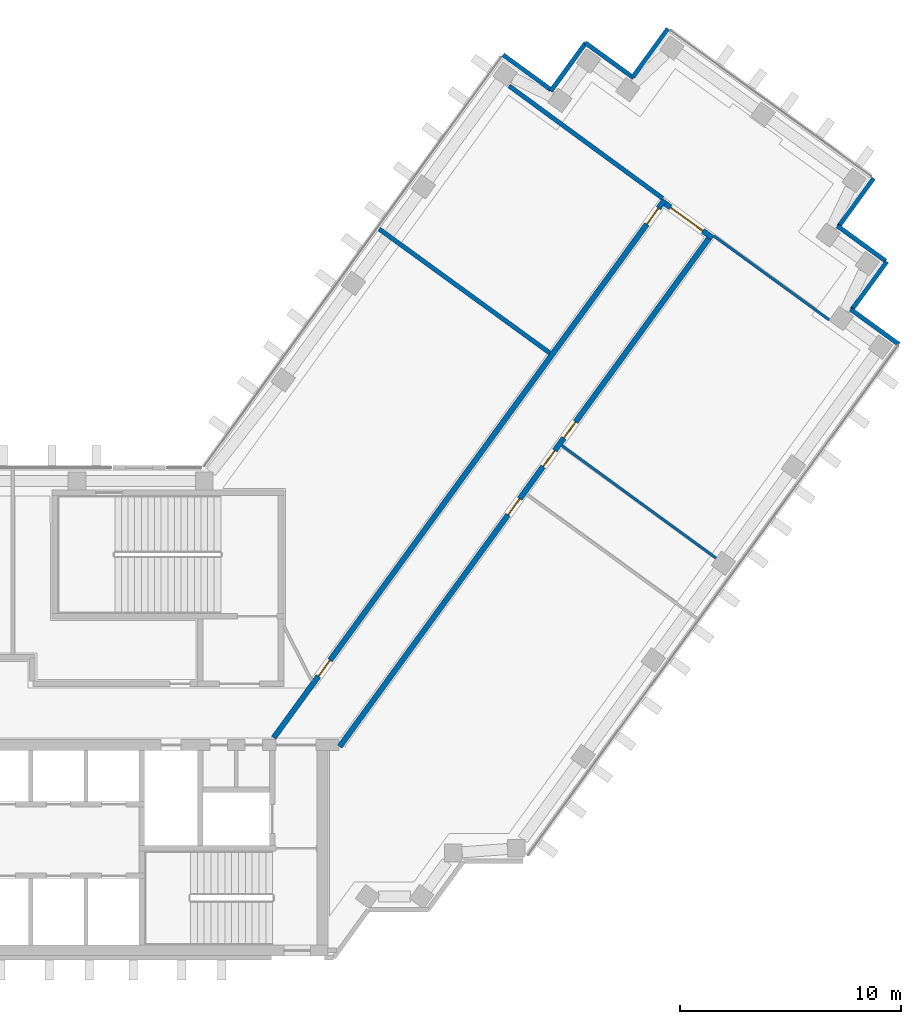
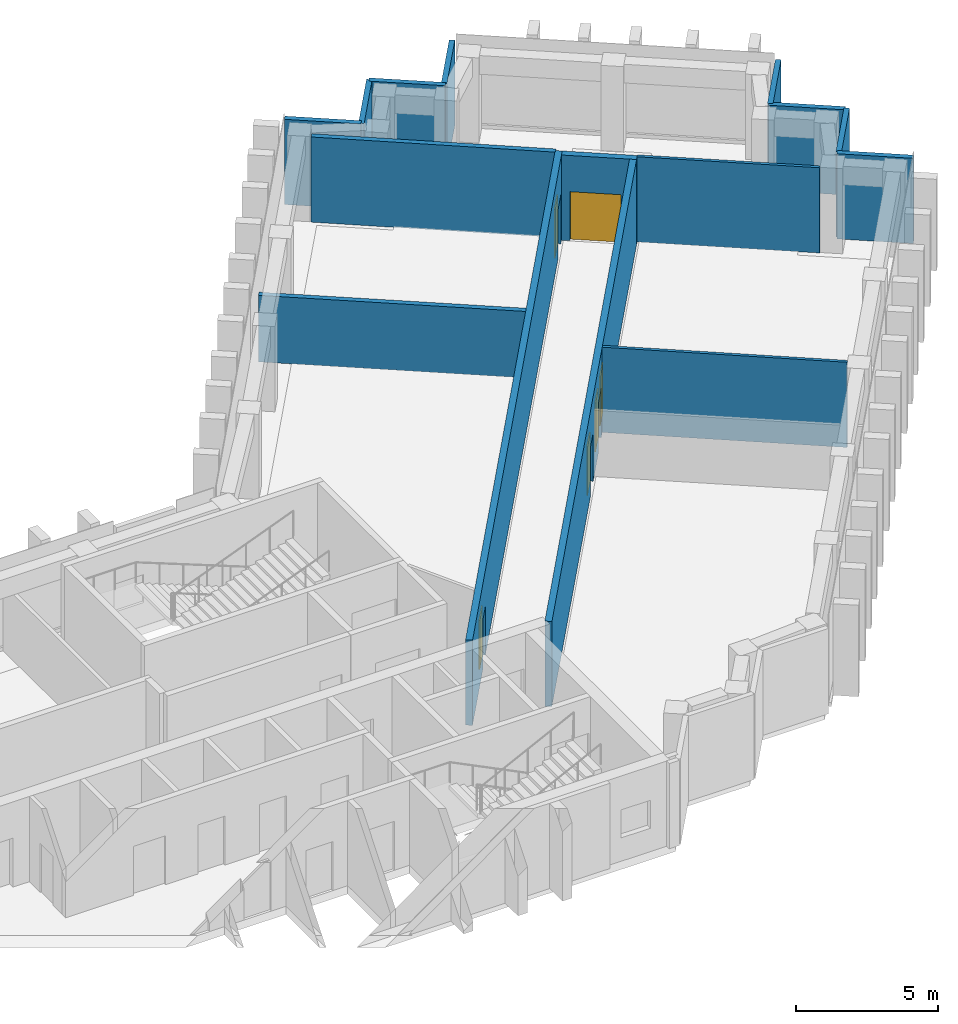
# One storey, part 9 of 12: 15 walls, 6 doors, 6 openings.
"""IFC4 building model written with IfcOpenShell, lengths in metres."""

from ifc_helpers import new_model, si_unit, direction, frame, frame_2d, origin, place, context, subcontext, project, spatial, rectangle, extrude, material, layer, layer_set, type_object, element, fill, save


model = new_model("IFC4")

# Units and contexts
model_context = context("Model", 3, precision=1e-05, world=origin(), true_north=direction((0.0, 1.0)))
body_context = subcontext(model_context, "Body", "Model", "MODEL_VIEW")
ifc_project = project(units=[si_unit("LENGTHUNIT", "METRE"), si_unit("AREAUNIT", "SQUARE_METRE"), si_unit("VOLUMEUNIT", "CUBIC_METRE"), si_unit("PLANEANGLEUNIT", "RADIAN"), si_unit("MASSUNIT", "GRAM", prefix="KILO")], contexts=[model_context])

# Site, building, storey
site_placement = place(None, origin())
site = spatial("IfcSite", under=ifc_project, at=site_placement, CompositionType="ELEMENT")
building_placement = place(site_placement, origin())
building = spatial("IfcBuilding", under=site, at=building_placement, Name="Quipu Civic Tower", CompositionType="ELEMENT")
storey_placement = place(building_placement, frame((0.0, 0.0, 164.0)))
storey = spatial("IfcBuildingStorey", under=building, at=storey_placement, Name="L38", CompositionType="ELEMENT", Elevation=164.0)

# Walls
ifc_material_1 = material(Name="Fired clay blockwork", Category="masonry")
ifc_layer_1 = layer(ifc_material_1, 0.199951171875)
ifc_layer_set_1 = layer_set([ifc_layer_1], Name="Fired clay blockwork")
wall_type_1 = type_object("IfcWallType", Name="Blockwork wall 200", PredefinedType="SOLIDWALL", material=ifc_layer_set_1)
wall_1_placement = place(storey_placement, frame((30.044189453125, 16.291748046875, 0.0), z_axis=(0.0, 0.0, 1.0), x_axis=(-0.80898585166, 0.587828114175, 0.0)))
element("IfcWall", 1, at=wall_1_placement, inside=storey, type_object=wall_type_1, Name="Partition P01", PredefinedType="SOLIDWALL", context=body_context, shape_type="SweptSolid", body=[
    extrude(rectangle(XDim=9.550048828125, YDim=0.199951171875, at=frame_2d((4.77490234375, 0.0))), origin(), (0.0, 0.0, 1.0), 2.85009765625),
])
wall_2_placement = place(storey_placement, frame((28.197998046875, 28.38134765625, 0.0), z_axis=(0.0, 0.0, 1.0), x_axis=(0.806977317905, -0.590582431492, 0.0)))
element("IfcWall", 2, at=wall_2_placement, inside=storey, type_object=wall_type_1, Name="Partition P08", PredefinedType="SOLIDWALL", context=body_context, shape_type="SweptSolid", body=[
    extrude(rectangle(XDim=8.61962890625, YDim=0.199951171875, at=frame_2d((4.309814453125, 0.0))), origin(), (0.0, 0.0, 1.0), 3.64990234375),
])

# Wall, openings, doors
ifc_material_2 = material(Name="Concrete C50/60", Category="concrete")
ifc_layer_2 = layer(ifc_material_2, 0.25)
ifc_layer_set_2 = layer_set([ifc_layer_2], Name="Concrete C50/60")
wall_type_2 = type_object("IfcWallType", Name="Corridor wall 250 concrete", PredefinedType="SOLIDWALL", material=ifc_layer_set_2)
wall_3_placement = place(storey_placement, frame((17.544921875, -1.124755859375, 0.0), z_axis=(0.0, 0.0, 1.0), x_axis=(0.587786330937, 0.809016210693, 0.0)))
wall_3 = element("IfcWall", 3, at=wall_3_placement, inside=storey, type_object=wall_type_2, Name="Corridor wall C02", PredefinedType="SOLIDWALL", context=body_context, shape_type="SweptSolid", body=[
    extrude(rectangle(XDim=30.10302734375, YDim=0.25, at=frame_2d((15.051513671875, 0.0))), origin(), (0.0, 0.0, 1.0), 3.64990234375),
])
opening_1_placement = place(wall_3_placement, frame((3.44140625, 0.0, 0.0)))
opening_1 = element("IfcOpeningElement", 4, at=opening_1_placement, cuts=wall_3, Name="Opening D001", PredefinedType="OPENING", context=body_context, shape_type="SweptSolid", body=[
    extrude(rectangle(XDim=0.89990234375, YDim=2.10009765625, at=frame_2d((0.449951171875, 1.050048828125))), frame((0.0, 0.135009765625, 0.0), z_axis=(0.0, -1.0, 0.0), x_axis=(1.0, 0.0, 0.0)), (0.0, 0.0, 1.0), 0.27001953125),
])
opening_2_placement = place(wall_3_placement, frame((28.72900390625, 0.0, 0.0)))
opening_2 = element("IfcOpeningElement", 5, at=opening_2_placement, cuts=wall_3, Name="Opening D002", PredefinedType="OPENING", context=body_context, shape_type="SweptSolid", body=[
    extrude(rectangle(XDim=0.89990234375, YDim=2.10009765625, at=frame_2d((0.449951171875, 1.050048828125))), frame((0.0, 0.135009765625, 0.0), z_axis=(0.0, -1.0, 0.0), x_axis=(1.0, 0.0, 0.0)), (0.0, 0.0, 1.0), 0.27001953125),
])
ifc_material_3 = material(Name="Fire rated timber door set with metal frame", Category="wood")
door_type_1 = type_object("IfcDoorType", Name="Single door 900 x 2100 FD60", OperationType="NOTDEFINED", PredefinedType="DOOR", material=ifc_material_3)
door_1_placement = place(opening_1_placement, origin())
door_1 = element("IfcDoor", 6, at=door_1_placement, inside=storey, type_object=door_type_1, Name="Door D001", OperationType="SINGLE_SWING_LEFT", OverallHeight=2.10009765625, OverallWidth=0.89990234375, PredefinedType="DOOR", context=body_context, shape_type="SweptSolid", body=[
    extrude(rectangle(XDim=0.89990234375, YDim=2.10009765625, at=frame_2d((0.449951171875, 1.050048828125))), frame((0.0, 0.02490234375, 0.0), z_axis=(0.0, -1.0, 0.0), x_axis=(1.0, 0.0, 0.0)), (0.0, 0.0, 1.0), 0.050048828125),
])
fill(opening_1, door_1)
door_2_placement = place(opening_2_placement, origin())
door_2 = element("IfcDoor", 7, at=door_2_placement, inside=storey, type_object=door_type_1, Name="Door D002", OperationType="SINGLE_SWING_RIGHT", OverallHeight=2.10009765625, OverallWidth=0.89990234375, PredefinedType="DOOR", context=body_context, shape_type="SweptSolid", body=[
    extrude(rectangle(XDim=0.89990234375, YDim=2.10009765625, at=frame_2d((0.449951171875, 1.050048828125))), frame((0.0, 0.02490234375, 0.0), z_axis=(0.0, -1.0, 0.0), x_axis=(1.0, 0.0, 0.0)), (0.0, 0.0, 1.0), 0.050048828125),
])
fill(opening_2, door_2)

# Wall, opening, door
wall_4_placement = place(storey_placement, frame((35.2666015625, 23.054443359375, 0.0), z_axis=(0.0, 0.0, 1.0), x_axis=(0.809038743598, -0.587755315891, 0.0)))
wall_4 = element("IfcWall", 8, at=wall_4_placement, inside=storey, type_object=wall_type_2, Name="Corridor wall C03", PredefinedType="SOLIDWALL", context=body_context, shape_type="SweptSolid", body=[
    extrude(rectangle(XDim=2.650146484375, YDim=0.25, at=frame_2d((1.3251953125, 0.0))), origin(), (0.0, 0.0, 1.0), 3.64990234375),
])
opening_3_placement = place(wall_4_placement, frame((0.300048828125, 0.0, 0.0)))
opening_3 = element("IfcOpeningElement", 9, at=opening_3_placement, cuts=wall_4, Name="Opening D006", PredefinedType="OPENING", context=body_context, shape_type="SweptSolid", body=[
    extrude(rectangle(XDim=1.800048828125, YDim=2.10009765625, at=frame_2d((0.89990234375, 1.050048828125))), frame((0.0, 0.135009765625, 0.0), z_axis=(0.0, -1.0, 0.0), x_axis=(1.0, 0.0, 0.0)), (0.0, 0.0, 1.0), 0.27001953125),
])
ifc_material_4 = material(Name="Fire rated timber door set with metal frame", Category="wood")
door_type_2 = type_object("IfcDoorType", Name="Double door 1800 x 2100 FD60", OperationType="DOUBLE_DOOR_SINGLE_SWING", PredefinedType="DOOR", material=ifc_material_4)
door_3_placement = place(opening_3_placement, origin())
door_3 = element("IfcDoor", 10, at=door_3_placement, inside=storey, type_object=door_type_2, Name="Door D006", OperationType="DOUBLE_DOOR_SINGLE_SWING", OverallHeight=2.10009765625, OverallWidth=1.800048828125, PredefinedType="DOOR", context=body_context, shape_type="SweptSolid", body=[
    extrude(rectangle(XDim=1.800048828125, YDim=2.10009765625, at=frame_2d((0.89990234375, 1.050048828125))), frame((0.0, 0.02490234375, 0.0), z_axis=(0.0, -1.0, 0.0), x_axis=(1.0, 0.0, 0.0)), (0.0, 0.0, 1.0), 0.050048828125),
])
fill(opening_3, door_3)

# Wall, openings, doors
wall_5_placement = place(storey_placement, frame((37.236083984375, 21.46923828125, 0.0), z_axis=(0.0, 0.0, 1.0), x_axis=(-0.58778344073, -0.809018310549, 0.0)))
wall_5 = element("IfcWall", 11, at=wall_5_placement, inside=storey, type_object=wall_type_2, Name="Corridor wall C04", PredefinedType="SOLIDWALL", context=body_context, shape_type="SweptSolid", body=[
    extrude(rectangle(XDim=28.42041015625, YDim=0.25, at=frame_2d((14.210205078125, 0.0))), origin(), (0.0, 0.0, 1.0), 3.64990234375),
])
opening_4_placement = place(wall_5_placement, frame((14.55419921875, 0.0, 0.0)))
opening_4 = element("IfcOpeningElement", 12, at=opening_4_placement, cuts=wall_5, Name="Opening D003", PredefinedType="OPENING", context=body_context, shape_type="SweptSolid", body=[
    extrude(rectangle(XDim=0.89990234375, YDim=2.10009765625, at=frame_2d((0.449951171875, 1.050048828125))), frame((0.0, 0.135009765625, 0.0), z_axis=(0.0, -1.0, 0.0), x_axis=(1.0, 0.0, 0.0)), (0.0, 0.0, 1.0), 0.27001953125),
])
opening_5_placement = place(wall_5_placement, frame((10.255126953125, 0.0, 0.0)))
opening_5 = element("IfcOpeningElement", 13, at=opening_5_placement, cuts=wall_5, Name="Opening D005", PredefinedType="OPENING", context=body_context, shape_type="SweptSolid", body=[
    extrude(rectangle(XDim=0.89990234375, YDim=2.10009765625, at=frame_2d((0.449951171875, 1.050048828125))), frame((0.0, 0.135009765625, 0.0), z_axis=(0.0, -1.0, 0.0), x_axis=(1.0, 0.0, 0.0)), (0.0, 0.0, 1.0), 0.27001953125),
])
opening_6_placement = place(wall_5_placement, frame((11.8544921875, 0.0, 0.0)))
opening_6 = element("IfcOpeningElement", 14, at=opening_6_placement, cuts=wall_5, Name="Opening D004", PredefinedType="OPENING", context=body_context, shape_type="SweptSolid", body=[
    extrude(rectangle(XDim=0.89990234375, YDim=2.10009765625, at=frame_2d((0.449951171875, 1.050048828125))), frame((0.0, 0.135009765625, 0.0), z_axis=(0.0, -1.0, 0.0), x_axis=(1.0, 0.0, 0.0)), (0.0, 0.0, 1.0), 0.27001953125),
])
door_4_placement = place(opening_4_placement, origin())
door_4 = element("IfcDoor", 15, at=door_4_placement, inside=storey, type_object=door_type_1, Name="Door D003", OperationType="SINGLE_SWING_LEFT", OverallHeight=2.10009765625, OverallWidth=0.89990234375, PredefinedType="DOOR", context=body_context, shape_type="SweptSolid", body=[
    extrude(rectangle(XDim=0.89990234375, YDim=2.10009765625, at=frame_2d((0.449951171875, 1.050048828125))), frame((0.0, 0.02490234375, 0.0), z_axis=(0.0, -1.0, 0.0), x_axis=(1.0, 0.0, 0.0)), (0.0, 0.0, 1.0), 0.050048828125),
])
fill(opening_4, door_4)
door_5_placement = place(opening_5_placement, origin())
door_5 = element("IfcDoor", 16, at=door_5_placement, inside=storey, type_object=door_type_1, Name="Door D005", OperationType="SINGLE_SWING_RIGHT", OverallHeight=2.10009765625, OverallWidth=0.89990234375, PredefinedType="DOOR", context=body_context, shape_type="SweptSolid", body=[
    extrude(rectangle(XDim=0.89990234375, YDim=2.10009765625, at=frame_2d((0.449951171875, 1.050048828125))), frame((0.0, 0.02490234375, 0.0), z_axis=(0.0, -1.0, 0.0), x_axis=(1.0, 0.0, 0.0)), (0.0, 0.0, 1.0), 0.050048828125),
])
fill(opening_5, door_5)
door_6_placement = place(opening_6_placement, origin())
door_6 = element("IfcDoor", 17, at=door_6_placement, inside=storey, type_object=door_type_1, Name="Door D004", OperationType="SINGLE_SWING_LEFT", OverallHeight=2.10009765625, OverallWidth=0.89990234375, PredefinedType="DOOR", context=body_context, shape_type="SweptSolid", body=[
    extrude(rectangle(XDim=0.89990234375, YDim=2.10009765625, at=frame_2d((0.449951171875, 1.050048828125))), frame((0.0, 0.02490234375, 0.0), z_axis=(0.0, -1.0, 0.0), x_axis=(1.0, 0.0, 0.0)), (0.0, 0.0, 1.0), 0.050048828125),
])
fill(opening_6, door_6)

# Walls
ifc_material_5 = material(Name="Gypsum plasterboard on light gauge framing")
ifc_layer_3 = layer(ifc_material_5, 0.1201171875)
ifc_layer_set_3 = layer_set([ifc_layer_3], Name="Gypsum plasterboard on light gauge framing")
wall_type_3 = type_object("IfcWallType", Name="Partition 120 plasterboard", PredefinedType="PARTITIONING", material=ifc_layer_set_3)
wall_6_placement = place(storey_placement, frame((42.68603515625, 17.793701171875, 0.0), z_axis=(0.0, 0.0, 1.0), x_axis=(-0.809017755079, 0.587784205272, 0.0)))
element("IfcWall", 18, at=wall_6_placement, inside=storey, type_object=wall_type_3, Name="Partition P03", PredefinedType="PARTITIONING", context=body_context, shape_type="SweptSolid", body=[
    extrude(rectangle(XDim=6.444580078125, YDim=0.1201171875, at=frame_2d((3.22216796875, 0.0))), origin(), (0.0, 0.0, 1.0), 3.64990234375),
])
wall_7_placement = place(storey_placement, frame((30.5869140625, 12.104248046875, 0.0), z_axis=(0.0, 0.0, 1.0), x_axis=(0.807584089733, -0.589752437902, 0.0)))
element("IfcWall", 19, at=wall_7_placement, inside=storey, type_object=wall_type_3, Name="Partition P04", PredefinedType="PARTITIONING", context=body_context, shape_type="SweptSolid", body=[
    extrude(rectangle(XDim=8.64453125, YDim=0.1201171875, at=frame_2d((4.322265625, 0.0))), origin(), (0.0, 0.0, 1.0), 3.64990234375),
])
ifc_material_6 = material(Name="Precast concrete C40/50", Category="concrete")
wall_type_4 = type_object("IfcWallType", Name="Precast cladding wall", PredefinedType="SOLIDWALL", material=ifc_material_6)
for number, where, z_axis, x_axis, name in (
    (20, (45.84228515625, 16.6845703125, 0.0), (0.0, 0.0, 1.0), (-0.808958916286, 0.58786518162, 0.0), "Precast cladding wall L38 P19"),
    (21, (43.70947265625, 18.249267578125, 0.0), (0.0, 0.0, 1.0), (0.587762999008, 0.809033161865, 0.0), "Precast cladding wall L38 P20"),
    (22, (45.2451171875, 20.4560546875, 0.0), (0.0, 0.0, 1.0), (-0.809033161865, 0.587762999008, 0.0), "Precast cladding wall L38 P21"),
    (23, (43.112548828125, 22.020263671875, 0.0), (0.0, 0.0, 1.0), (0.587762999008, 0.809033161865, 0.0), "Precast cladding wall L38 P22"),
    (24, (35.3876953125, 30.97021484375, 0.0), (0.0, 0.0, 1.0), (-0.587762999008, -0.809033161865, 0.0), "Precast cladding wall L38 P24"),
    (25, (33.837890625, 28.743896484375, 0.0), (0.0, 0.0, 1.0), (-0.809033161865, 0.587762999008, 0.0), "Precast cladding wall L38 P25"),
    (26, (31.67041015625, 30.33349609375, 0.0), (0.0, 0.0, 1.0), (-0.587762999008, -0.809033161865, 0.0), "Precast cladding wall L38 P26"),
    (27, (30.105712890625, 28.2001953125, 0.0), (0.0, 0.0, 1.0), (-0.809033161865, 0.587762999008, 0.0), "Precast cladding wall L38 P27"),
):
    element("IfcWall", number, at=place(storey_placement, frame(where, z_axis=z_axis, x_axis=x_axis)), inside=storey, type_object=wall_type_4, Name=name, PredefinedType="SOLIDWALL", context=body_context, shape_type="SweptSolid", body=[
        extrude(rectangle(XDim=2.699951171875, YDim=0.199951171875, at=frame_2d((1.35009765625, 0.0))), origin(), (0.0, 0.0, 1.0), 3.64990234375),
    ])

save(model, "model.ifc")
